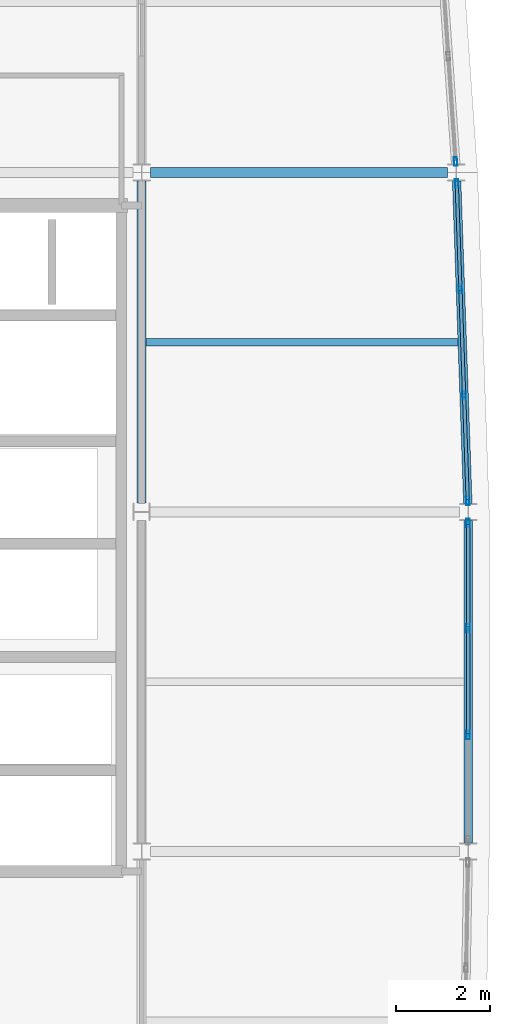
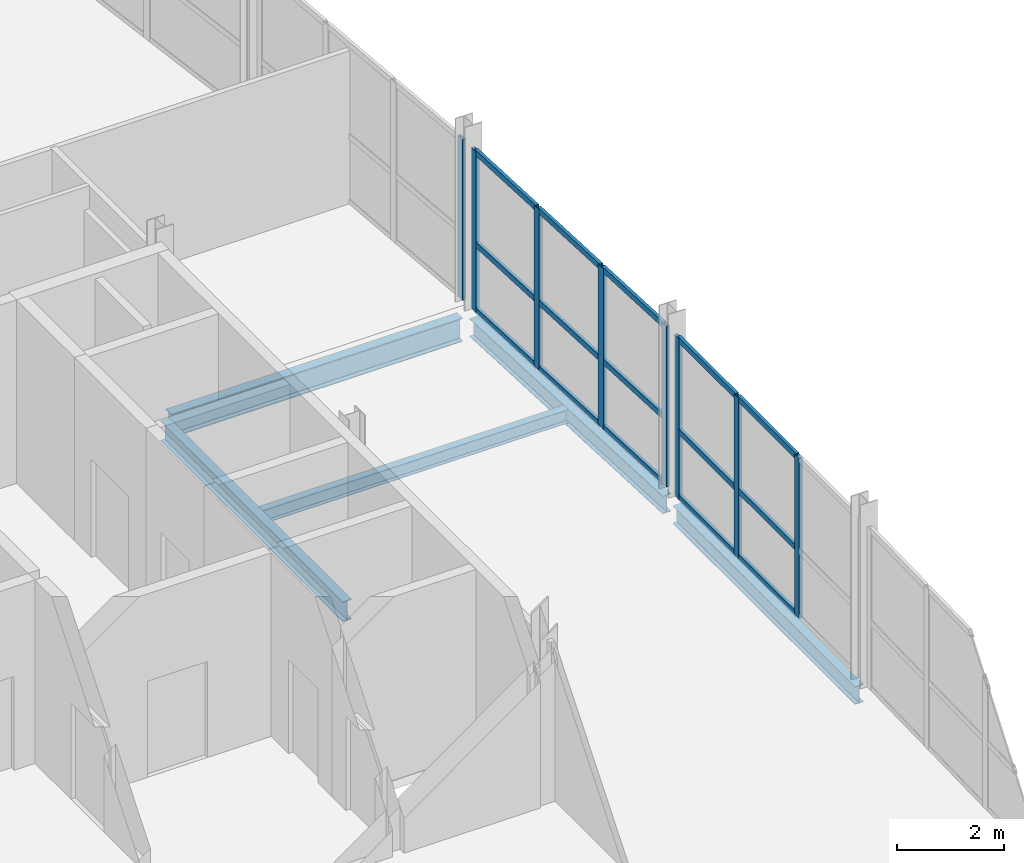
# One storey, part 4 of 16: 23 members, 5 beams, 3 elements without a shape of their own.
"""IFC4 building model written with IfcOpenShell, lengths in metres."""

from ifc_helpers import new_model, si_unit, direction, frame, origin, origin_2d, place, context, subcontext, project, spatial, hollow_rectangle, i_section, extrude, material, layer, layer_set, material_profile, profile_set, type_object, element, aggregate, save


model = new_model("IFC4")

# Units and contexts
model_context = context("Model", 3, precision=1e-05, world=origin(), true_north=direction((0.0, 1.0)))
body_context = subcontext(model_context, "Body", "Model", "MODEL_VIEW")
ifc_project = project(units=[si_unit("LENGTHUNIT", "METRE"), si_unit("AREAUNIT", "SQUARE_METRE"), si_unit("VOLUMEUNIT", "CUBIC_METRE"), si_unit("PLANEANGLEUNIT", "RADIAN"), si_unit("MASSUNIT", "GRAM", prefix="KILO")], contexts=[model_context])

# Site, building, storey
site_placement = place(None, origin())
site = spatial("IfcSite", under=ifc_project, at=site_placement, CompositionType="ELEMENT")
building_placement = place(site_placement, origin())
building = spatial("IfcBuilding", under=site, at=building_placement, Name="Quillay Park Conservatory", CompositionType="ELEMENT")
storey_placement = place(building_placement, frame((0.0, 0.0, 43.5)))
storey = spatial("IfcBuildingStorey", under=building, at=storey_placement, Name="L10", CompositionType="ELEMENT", Elevation=43.5)

# Beam
ifc_material_1 = material(Name="Steel ASTM A992 Grade 50", Category="steel")
ifc_material_profile_1 = material_profile(ifc_material_1, i_section(OverallWidth=0.166015625, OverallDepth=0.31298828125, WebThickness=0.006591796875, FlangeThickness=0.01123046875, FilletRadius=0.010009765625, at=origin_2d()), Name="W310x45")
ifc_profile_set_1 = profile_set([ifc_material_profile_1], Name="Steel ASTM A992 Grade 50")
beam_type_1 = type_object("IfcBeamType", Name="COMPOSITE FLOOR JOIST W310 X45", PredefinedType="JOIST", material=ifc_profile_set_1)
beam_1_placement = place(storey_placement, frame((19.845947265625, 96.0, -0.3564453125), z_axis=(1.0, 0.0, 0.0), x_axis=(0.0, 1.0, 0.0)))
element("IfcBeam", 1, at=beam_1_placement, inside=storey, type_object=beam_type_1, Name="L10 beam BM-J-0753", PredefinedType="JOIST", context=body_context, shape_type="SweptSolid", body=[
    extrude(i_section(OverallWidth=0.166015625, OverallDepth=0.31298828125, WebThickness=0.006591796875, FlangeThickness=0.01123046875, FilletRadius=0.010009765625, at=origin_2d()), origin(), (0.0, 0.0, 1.0), 6.614013671875),
])

# Curtain wall, members
ifc_material_2 = material(Name="Thermally Broken Anodised Aluminium 6063-T6", Category="aluminium")
ifc_layer = layer(ifc_material_2, 0.179931640625)
ifc_layer_set = layer_set([ifc_layer], Name="UNITISED CURTAIN WALL TOWER (Thermally Broken Anodised Aluminium 6063-T6)")
curtain_wall_type = type_object("IfcCurtainWallType", Name="UNITISED CURTAIN WALL TOWER", PredefinedType="USERDEFINED", material=ifc_layer_set)
curtain_wall_1_placement = place(storey_placement, origin())
curtain_wall_1 = element("IfcCurtainWall", 2, at=curtain_wall_1_placement, inside=storey, type_object=curtain_wall_type, Name="L10 Unitised Curtain Wall 098", ObjectType="UNITISED CURTAIN WALL", PredefinedType="USERDEFINED")
ifc_material_3 = material(Name="Thermally Broken Anodised Aluminium 6063-T6", Category="aluminium")
ifc_material_profile_2 = material_profile(ifc_material_3, hollow_rectangle(XDim=0.070068359375, YDim=0.179931640625, WallThickness=0.00390625, at=origin_2d()), Name="AL70x180x4")
ifc_profile_set_2 = profile_set([ifc_material_profile_2], Name="Thermally Broken Anodised Aluminium 6063-T6")
member_type_1 = type_object("IfcMemberType", Name="CURTAIN WALL MULLION 70 X180", PredefinedType="MULLION", material=ifc_profile_set_2)
member_1_placement = place(storey_placement, frame((26.675048828125, 92.1650390625, 0.0), z_axis=(0.0, 0.0, 1.0), x_axis=(1.0, 0.0, 0.0)))
member_1 = element("IfcMember", 3, at=member_1_placement, type_object=member_type_1, Name="CW-T1 mullion 1", PredefinedType="MULLION", context=body_context, shape_type="SweptSolid", body=[
    extrude(hollow_rectangle(XDim=0.070068359375, YDim=0.179931640625, WallThickness=0.00390625, at=origin_2d()), origin(), (0.0, 0.0, 1.0), 3.677001953125),
])
member_2_placement = place(storey_placement, frame((26.675048828125, 89.933349609375, 0.0), z_axis=(0.0, 0.0, 1.0), x_axis=(1.0, 0.0, 0.0)))
member_2 = element("IfcMember", 4, at=member_2_placement, type_object=member_type_1, Name="CW-T1 mullion 2", PredefinedType="MULLION", context=body_context, shape_type="SweptSolid", body=[
    extrude(hollow_rectangle(XDim=0.070068359375, YDim=0.179931640625, WallThickness=0.00390625, at=origin_2d()), origin(), (0.0, 0.0, 1.0), 3.677001953125),
])
member_3_placement = place(storey_placement, frame((26.675048828125, 87.666748046875, 0.0), z_axis=(0.0, 0.0, 1.0), x_axis=(1.0, 0.0, 0.0)))
member_3 = element("IfcMember", 5, at=member_3_placement, type_object=member_type_1, Name="CW-T1 mullion 3", PredefinedType="MULLION", context=body_context, shape_type="SweptSolid", body=[
    extrude(hollow_rectangle(XDim=0.070068359375, YDim=0.179931640625, WallThickness=0.00390625, at=origin_2d()), origin(), (0.0, 0.0, 1.0), 3.677001953125),
])

curtain_wall_2_placement = place(storey_placement, origin())
curtain_wall_2 = element("IfcCurtainWall", 6, at=curtain_wall_2_placement, inside=storey, type_object=curtain_wall_type, Name="L10 Unitised Curtain Wall 099", ObjectType="UNITISED CURTAIN WALL", PredefinedType="USERDEFINED")
member_4_placement = place(storey_placement, frame((26.43310546875, 99.365234375, 0.0), z_axis=(0.0, 0.0, 1.0), x_axis=(0.999397310446, 0.034713338537, 0.0)))
member_4 = element("IfcMember", 7, at=member_4_placement, type_object=member_type_1, Name="CW-T1 mullion 1", PredefinedType="MULLION", context=body_context, shape_type="SweptSolid", body=[
    extrude(hollow_rectangle(XDim=0.070068359375, YDim=0.179931640625, WallThickness=0.00390625, at=origin_2d()), origin(), (0.0, 0.0, 1.0), 3.677001953125),
])
member_5_placement = place(storey_placement, frame((26.5107421875, 97.13330078125, 0.0), z_axis=(0.0, 0.0, 1.0), x_axis=(0.999397310446, 0.034713338537, 0.0)))
member_5 = element("IfcMember", 8, at=member_5_placement, type_object=member_type_1, Name="CW-T1 mullion 2", PredefinedType="MULLION", context=body_context, shape_type="SweptSolid", body=[
    extrude(hollow_rectangle(XDim=0.070068359375, YDim=0.179931640625, WallThickness=0.00390625, at=origin_2d()), origin(), (0.0, 0.0, 1.0), 3.677001953125),
])
member_6_placement = place(storey_placement, frame((26.58935546875, 94.86669921875, 0.0), z_axis=(0.0, 0.0, 1.0), x_axis=(0.999397310446, 0.034713338537, 0.0)))
member_6 = element("IfcMember", 9, at=member_6_placement, type_object=member_type_1, Name="CW-T1 mullion 3", PredefinedType="MULLION", context=body_context, shape_type="SweptSolid", body=[
    extrude(hollow_rectangle(XDim=0.070068359375, YDim=0.179931640625, WallThickness=0.00390625, at=origin_2d()), origin(), (0.0, 0.0, 1.0), 3.677001953125),
])
member_7_placement = place(storey_placement, frame((26.6669921875, 92.634765625, 0.0), z_axis=(0.0, 0.0, 1.0), x_axis=(0.999397310446, 0.034713338537, 0.0)))
member_7 = element("IfcMember", 10, at=member_7_placement, type_object=member_type_1, Name="CW-T1 mullion 4", PredefinedType="MULLION", context=body_context, shape_type="SweptSolid", body=[
    extrude(hollow_rectangle(XDim=0.070068359375, YDim=0.179931640625, WallThickness=0.00390625, at=origin_2d()), origin(), (0.0, 0.0, 1.0), 3.677001953125),
])

# Curtain wall, member
curtain_wall_3_placement = place(storey_placement, origin())
curtain_wall_3 = element("IfcCurtainWall", 11, at=curtain_wall_3_placement, inside=storey, type_object=curtain_wall_type, Name="L10 Unitised Curtain Wall 100", ObjectType="UNITISED CURTAIN WALL", PredefinedType="USERDEFINED")
member_8_placement = place(storey_placement, frame((26.40869140625, 99.83447265625, 0.0), z_axis=(0.0, 0.0, 1.0), x_axis=(0.99759835015, 0.069264217159, 0.0)))
member_8 = element("IfcMember", 12, at=member_8_placement, type_object=member_type_1, Name="CW-T1 mullion 4", PredefinedType="MULLION", context=body_context, shape_type="SweptSolid", body=[
    extrude(hollow_rectangle(XDim=0.070068359375, YDim=0.179931640625, WallThickness=0.00390625, at=origin_2d()), origin(), (0.0, 0.0, 1.0), 3.677001953125),
])
aggregate(curtain_wall_3, [member_8])

# Member
ifc_material_4 = material(Name="Thermally Broken Anodised Aluminium 6063-T6", Category="aluminium")
ifc_material_profile_3 = material_profile(ifc_material_4, hollow_rectangle(XDim=0.070068359375, YDim=0.1298828125, WallThickness=0.003173828125, at=origin_2d()), Name="AL70x130x3.2")
ifc_profile_set_3 = profile_set([ifc_material_profile_3], Name="Thermally Broken Anodised Aluminium 6063-T6")
member_type_2 = type_object("IfcMemberType", Name="CURTAIN WALL TRANSOM 70 X130", PredefinedType="USERDEFINED", material=ifc_profile_set_3)
member_9_placement = place(storey_placement, frame((26.675048828125, 92.1298828125, 0.034912109375), z_axis=(0.0, -1.0, 0.0), x_axis=(1.0, 0.0, 0.0)))
member_9 = element("IfcMember", 13, at=member_9_placement, type_object=member_type_2, Name="CW-T1 transom 1.1", ObjectType="TRANSOM", PredefinedType="USERDEFINED", context=body_context, shape_type="SweptSolid", body=[
    extrude(hollow_rectangle(XDim=0.070068359375, YDim=0.1298828125, WallThickness=0.003173828125, at=origin_2d()), origin(), (0.0, 0.0, 1.0), 2.16162109375),
])

member_10_placement = place(storey_placement, frame((26.675048828125, 92.1298828125, 1.544189453125), z_axis=(0.0, -1.0, 0.0), x_axis=(1.0, 0.0, 0.0)))
member_10 = element("IfcMember", 14, at=member_10_placement, type_object=member_type_2, Name="CW-T1 transom 1.2", ObjectType="TRANSOM", PredefinedType="USERDEFINED", context=body_context, shape_type="SweptSolid", body=[
    extrude(hollow_rectangle(XDim=0.070068359375, YDim=0.1298828125, WallThickness=0.003173828125, at=origin_2d()), origin(), (0.0, 0.0, 1.0), 2.16162109375),
])

member_11_placement = place(storey_placement, frame((26.675048828125, 92.1298828125, 3.64208984375), z_axis=(0.0, -1.0, 0.0), x_axis=(1.0, 0.0, 0.0)))
member_11 = element("IfcMember", 15, at=member_11_placement, type_object=member_type_2, Name="CW-T1 transom 1.3", ObjectType="TRANSOM", PredefinedType="USERDEFINED", context=body_context, shape_type="SweptSolid", body=[
    extrude(hollow_rectangle(XDim=0.070068359375, YDim=0.1298828125, WallThickness=0.003173828125, at=origin_2d()), origin(), (0.0, 0.0, 1.0), 2.16162109375),
])

member_12_placement = place(storey_placement, frame((26.675048828125, 89.8984375, 0.034912109375), z_axis=(0.0, -1.0, 0.0), x_axis=(1.0, 0.0, 0.0)))
member_12 = element("IfcMember", 16, at=member_12_placement, type_object=member_type_2, Name="CW-T1 transom 2.1", ObjectType="TRANSOM", PredefinedType="USERDEFINED", context=body_context, shape_type="SweptSolid", body=[
    extrude(hollow_rectangle(XDim=0.070068359375, YDim=0.1298828125, WallThickness=0.003173828125, at=origin_2d()), origin(), (0.0, 0.0, 1.0), 2.19677734375),
])

member_13_placement = place(storey_placement, frame((26.675048828125, 89.8984375, 1.544189453125), z_axis=(0.0, -1.0, 0.0), x_axis=(1.0, 0.0, 0.0)))
member_13 = element("IfcMember", 17, at=member_13_placement, type_object=member_type_2, Name="CW-T1 transom 2.2", ObjectType="TRANSOM", PredefinedType="USERDEFINED", context=body_context, shape_type="SweptSolid", body=[
    extrude(hollow_rectangle(XDim=0.070068359375, YDim=0.1298828125, WallThickness=0.003173828125, at=origin_2d()), origin(), (0.0, 0.0, 1.0), 2.19677734375),
])

member_14_placement = place(storey_placement, frame((26.675048828125, 89.8984375, 3.64208984375), z_axis=(0.0, -1.0, 0.0), x_axis=(1.0, 0.0, 0.0)))
member_14 = element("IfcMember", 18, at=member_14_placement, type_object=member_type_2, Name="CW-T1 transom 2.3", ObjectType="TRANSOM", PredefinedType="USERDEFINED", context=body_context, shape_type="SweptSolid", body=[
    extrude(hollow_rectangle(XDim=0.070068359375, YDim=0.1298828125, WallThickness=0.003173828125, at=origin_2d()), origin(), (0.0, 0.0, 1.0), 2.19677734375),
])

aggregate(curtain_wall_1, [member_1, member_2, member_3, member_9, member_10, member_11, member_12, member_13, member_14])

member_15_placement = place(storey_placement, frame((26.434326171875, 99.330078125, 0.034912109375), z_axis=(0.034765508592, -0.999395496994, 0.0), x_axis=(0.999395496994, 0.034765508592, 0.0)))
member_15 = element("IfcMember", 19, at=member_15_placement, type_object=member_type_2, Name="CW-T1 transom 1.1", ObjectType="TRANSOM", PredefinedType="USERDEFINED", context=body_context, shape_type="SweptSolid", body=[
    extrude(hollow_rectangle(XDim=0.070068359375, YDim=0.1298828125, WallThickness=0.003173828125, at=origin_2d()), origin(), (0.0, 0.0, 1.0), 2.162841796875),
])

member_16_placement = place(storey_placement, frame((26.434326171875, 99.330078125, 1.544189453125), z_axis=(0.034765508592, -0.999395496994, 0.0), x_axis=(0.999395496994, 0.034765508592, 0.0)))
member_16 = element("IfcMember", 20, at=member_16_placement, type_object=member_type_2, Name="CW-T1 transom 1.2", ObjectType="TRANSOM", PredefinedType="USERDEFINED", context=body_context, shape_type="SweptSolid", body=[
    extrude(hollow_rectangle(XDim=0.070068359375, YDim=0.1298828125, WallThickness=0.003173828125, at=origin_2d()), origin(), (0.0, 0.0, 1.0), 2.162841796875),
])

member_17_placement = place(storey_placement, frame((26.434326171875, 99.330078125, 3.64208984375), z_axis=(0.034765508592, -0.999395496994, 0.0), x_axis=(0.999395496994, 0.034765508592, 0.0)))
member_17 = element("IfcMember", 21, at=member_17_placement, type_object=member_type_2, Name="CW-T1 transom 1.3", ObjectType="TRANSOM", PredefinedType="USERDEFINED", context=body_context, shape_type="SweptSolid", body=[
    extrude(hollow_rectangle(XDim=0.070068359375, YDim=0.1298828125, WallThickness=0.003173828125, at=origin_2d()), origin(), (0.0, 0.0, 1.0), 2.162841796875),
])

member_18_placement = place(storey_placement, frame((26.511962890625, 97.098388671875, 0.034912109375), z_axis=(0.034653546152, -0.999399385501, 0.0), x_axis=(0.999399385501, 0.034653546152, 0.0)))
member_18 = element("IfcMember", 22, at=member_18_placement, type_object=member_type_2, Name="CW-T1 transom 2.1", ObjectType="TRANSOM", PredefinedType="USERDEFINED", context=body_context, shape_type="SweptSolid", body=[
    extrude(hollow_rectangle(XDim=0.070068359375, YDim=0.1298828125, WallThickness=0.003173828125, at=origin_2d()), origin(), (0.0, 0.0, 1.0), 2.197998046875),
])

member_19_placement = place(storey_placement, frame((26.511962890625, 97.098388671875, 1.544189453125), z_axis=(0.034653546152, -0.999399385501, 0.0), x_axis=(0.999399385501, 0.034653546152, 0.0)))
member_19 = element("IfcMember", 23, at=member_19_placement, type_object=member_type_2, Name="CW-T1 transom 2.2", ObjectType="TRANSOM", PredefinedType="USERDEFINED", context=body_context, shape_type="SweptSolid", body=[
    extrude(hollow_rectangle(XDim=0.070068359375, YDim=0.1298828125, WallThickness=0.003173828125, at=origin_2d()), origin(), (0.0, 0.0, 1.0), 2.197998046875),
])

member_20_placement = place(storey_placement, frame((26.511962890625, 97.098388671875, 3.64208984375), z_axis=(0.034653546152, -0.999399385501, 0.0), x_axis=(0.999399385501, 0.034653546152, 0.0)))
member_20 = element("IfcMember", 24, at=member_20_placement, type_object=member_type_2, Name="CW-T1 transom 2.3", ObjectType="TRANSOM", PredefinedType="USERDEFINED", context=body_context, shape_type="SweptSolid", body=[
    extrude(hollow_rectangle(XDim=0.070068359375, YDim=0.1298828125, WallThickness=0.003173828125, at=origin_2d()), origin(), (0.0, 0.0, 1.0), 2.197998046875),
])

member_21_placement = place(storey_placement, frame((26.590576171875, 94.83154296875, 0.034912109375), z_axis=(0.034765508592, -0.999395496994, 0.0), x_axis=(0.999395496994, 0.034765508592, 0.0)))
member_21 = element("IfcMember", 25, at=member_21_placement, type_object=member_type_2, Name="CW-T1 transom 3.1", ObjectType="TRANSOM", PredefinedType="USERDEFINED", context=body_context, shape_type="SweptSolid", body=[
    extrude(hollow_rectangle(XDim=0.070068359375, YDim=0.1298828125, WallThickness=0.003173828125, at=origin_2d()), origin(), (0.0, 0.0, 1.0), 2.162841796875),
])

member_22_placement = place(storey_placement, frame((26.590576171875, 94.83154296875, 1.544189453125), z_axis=(0.034765508592, -0.999395496994, 0.0), x_axis=(0.999395496994, 0.034765508592, 0.0)))
member_22 = element("IfcMember", 26, at=member_22_placement, type_object=member_type_2, Name="CW-T1 transom 3.2", ObjectType="TRANSOM", PredefinedType="USERDEFINED", context=body_context, shape_type="SweptSolid", body=[
    extrude(hollow_rectangle(XDim=0.070068359375, YDim=0.1298828125, WallThickness=0.003173828125, at=origin_2d()), origin(), (0.0, 0.0, 1.0), 2.162841796875),
])

member_23_placement = place(storey_placement, frame((26.590576171875, 94.83154296875, 3.64208984375), z_axis=(0.034765508592, -0.999395496994, 0.0), x_axis=(0.999395496994, 0.034765508592, 0.0)))
member_23 = element("IfcMember", 27, at=member_23_placement, type_object=member_type_2, Name="CW-T1 transom 3.3", ObjectType="TRANSOM", PredefinedType="USERDEFINED", context=body_context, shape_type="SweptSolid", body=[
    extrude(hollow_rectangle(XDim=0.070068359375, YDim=0.1298828125, WallThickness=0.003173828125, at=origin_2d()), origin(), (0.0, 0.0, 1.0), 2.162841796875),
])

aggregate(curtain_wall_2, [member_4, member_5, member_6, member_7, member_15, member_16, member_17, member_18, member_19, member_20, member_21, member_22, member_23])

# Beams
ifc_material_5 = material(Name="Steel ASTM A992 Grade 50", Category="steel")
ifc_material_profile_4 = material_profile(ifc_material_5, i_section(OverallWidth=0.179931640625, OverallDepth=0.4130859375, WebThickness=0.009765625, FlangeThickness=0.01611328125, FilletRadius=0.011962890625, at=origin_2d()), Name="W410x74")
ifc_profile_set_4 = profile_set([ifc_material_profile_4], Name="Steel ASTM A992 Grade 50")
beam_type_2 = type_object("IfcBeamType", Name="PERIMETER SPANDREL BEAM W410 X74", PredefinedType="SPANDREL", material=ifc_profile_set_4)
beam_2_placement = place(storey_placement, frame((26.675048828125, 85.382080078125, -0.406494140625), z_axis=(0.0, 1.0, 0.0), x_axis=(-1.0, 0.0, 0.0)))
element("IfcBeam", 28, at=beam_2_placement, inside=storey, type_object=beam_type_2, Name="L10 beam BM-SPE-0743", PredefinedType="SPANDREL", context=body_context, shape_type="SweptSolid", body=[
    extrude(i_section(OverallWidth=0.179931640625, OverallDepth=0.4130859375, WebThickness=0.009765625, FlangeThickness=0.01611328125, FilletRadius=0.011962890625, at=origin_2d()), origin(), (0.0, 0.0, 1.0), 6.8359375),
])
beam_3_placement = place(storey_placement, frame((26.668701171875, 92.581787109375, -0.406494140625), z_axis=(-0.034690912886, 0.999398089133, 0.0), x_axis=(-0.999398089133, -0.034690912886, 0.0)))
element("IfcBeam", 29, at=beam_3_placement, inside=storey, type_object=beam_type_2, Name="L10 beam BM-SPE-0749", PredefinedType="SPANDREL", context=body_context, shape_type="SweptSolid", body=[
    extrude(i_section(OverallWidth=0.179931640625, OverallDepth=0.4130859375, WebThickness=0.009765625, FlangeThickness=0.01611328125, FilletRadius=0.011962890625, at=origin_2d()), origin(), (0.0, 0.0, 1.0), 6.840576171875),
])
ifc_material_6 = material(Name="Steel ASTM A992 Grade 50", Category="steel")
ifc_material_profile_5 = material_profile(ifc_material_6, i_section(OverallWidth=0.19189453125, OverallDepth=0.462890625, WebThickness=0.010498046875, FlangeThickness=0.017578125, FilletRadius=0.012939453125, at=origin_2d()), Name="W460x89")
ifc_profile_set_5 = profile_set([ifc_material_profile_5], Name="Steel ASTM A992 Grade 50")
beam_type_3 = type_object("IfcBeamType", Name="PRIMARY FLOOR GIRDER W460 X89", PredefinedType="BEAM", material=ifc_profile_set_5)
beam_4_placement = place(storey_placement, frame((19.75, 92.58544921875, -0.431396484375), z_axis=(0.0, 1.0, 0.0), x_axis=(-1.0, 0.0, 0.0)))
element("IfcBeam", 30, at=beam_4_placement, inside=storey, type_object=beam_type_3, Name="L10 beam BM-GNS-0751", PredefinedType="BEAM", context=body_context, shape_type="SweptSolid", body=[
    extrude(i_section(OverallWidth=0.19189453125, OverallDepth=0.462890625, WebThickness=0.010498046875, FlangeThickness=0.017578125, FilletRadius=0.012939453125, at=origin_2d()), origin(), (0.0, 0.0, 1.0), 6.83251953125),
])
ifc_material_7 = material(Name="Steel ASTM A992 Grade 50", Category="steel")
ifc_material_profile_6 = material_profile(ifc_material_7, i_section(OverallWidth=0.2109375, OverallDepth=0.5390625, WebThickness=0.01171875, FlangeThickness=0.018798828125, FilletRadius=0.013916015625, at=origin_2d()), Name="W530x109")
ifc_profile_set_6 = profile_set([ifc_material_profile_6], Name="Steel ASTM A992 Grade 50")
beam_type_4 = type_object("IfcBeamType", Name="PRIMARY FLOOR GIRDER W530 X109", PredefinedType="BEAM", material=ifc_profile_set_6)
beam_5_placement = place(storey_placement, frame((19.935546875, 99.60009765625, -0.469482421875), z_axis=(1.0, 0.0, 0.0), x_axis=(0.0, 1.0, 0.0)))
element("IfcBeam", 31, at=beam_5_placement, inside=storey, type_object=beam_type_4, Name="L10 beam BM-G-0722", PredefinedType="BEAM", context=body_context, shape_type="SweptSolid", body=[
    extrude(i_section(OverallWidth=0.2109375, OverallDepth=0.5390625, WebThickness=0.01171875, FlangeThickness=0.018798828125, FilletRadius=0.013916015625, at=origin_2d()), origin(), (0.0, 0.0, 1.0), 6.303955078125),
])

save(model, "model.ifc")
